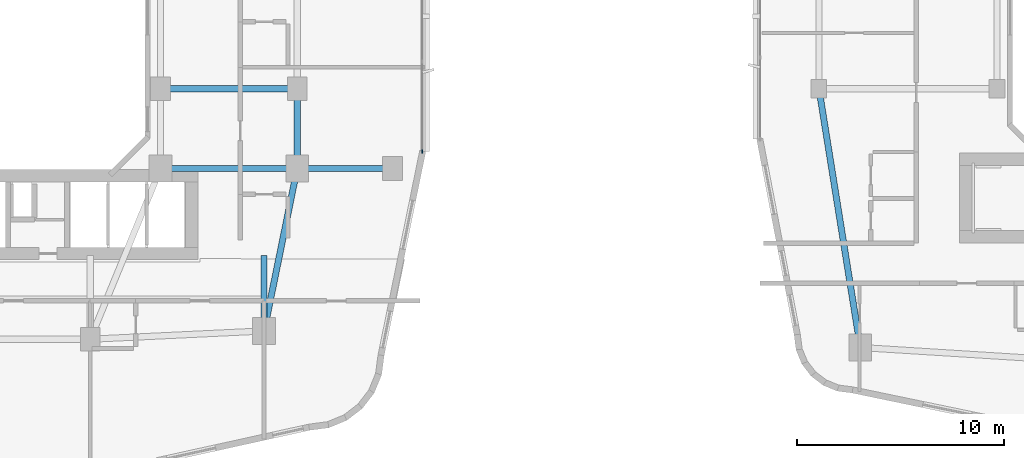
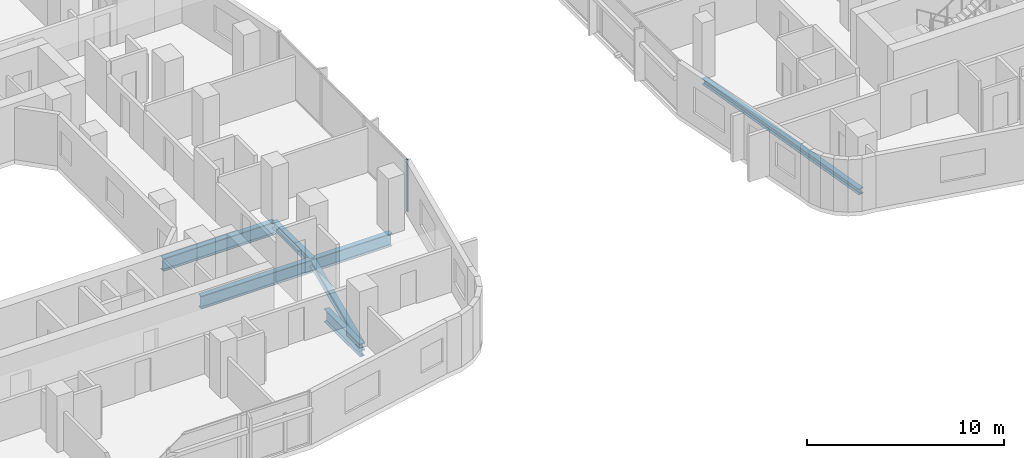
# One storey, part 4 of 27: 7 beams, 1 member, 1 element without a shape of its own.
"""IFC4 building model written with IfcOpenShell, lengths in metres."""

from ifc_helpers import new_model, si_unit, derived_unit, direction, frame, origin, origin_2d, place, context, subcontext, project, spatial, rectangle, i_section, extrude, material, layer, layer_set, material_profile, profile_set, type_object, element, aggregate, save


model = new_model("IFC4")

# Units and contexts
model_context = context("Model", 3, precision=1e-05, world=origin(), true_north=direction((0.0, 1.0)))
body_context = subcontext(model_context, "Body", "Model", "MODEL_VIEW")
ifc_project = project(units=[si_unit("LENGTHUNIT", "METRE"), si_unit("AREAUNIT", "SQUARE_METRE"), si_unit("VOLUMEUNIT", "CUBIC_METRE"), si_unit("PLANEANGLEUNIT", "RADIAN"), si_unit("MASSUNIT", "GRAM", prefix="KILO"), derived_unit("THERMALTRANSMITTANCEUNIT", [(si_unit("POWERUNIT", "WATT"), 1), (si_unit("LENGTHUNIT", "METRE"), -2), (si_unit("THERMODYNAMICTEMPERATUREUNIT", "KELVIN"), -1)])], contexts=[model_context])

# Site, building, storey
site_placement = place(None, origin())
site = spatial("IfcSite", under=ifc_project, at=site_placement, CompositionType="ELEMENT")
building_placement = place(site_placement, origin())
building = spatial("IfcBuilding", under=site, at=building_placement, Name="Kivonza Crest Hotel", CompositionType="ELEMENT")
storey_placement = place(building_placement, frame((0.0, 0.0, 34.5)))
storey = spatial("IfcBuildingStorey", under=building, at=storey_placement, Name="L08", CompositionType="ELEMENT", Elevation=34.5)

# Beams
ifc_material_1 = material(Name="Steel S355", Category="steel")
ifc_material_profile_1 = material_profile(ifc_material_1, i_section(OverallWidth=0.300048828125, OverallDepth=0.360107421875, WebThickness=0.012451171875, FlangeThickness=0.0224609375, FilletRadius=0.027099609375, at=origin_2d()), Name="HEB 360")
ifc_profile_set_1 = profile_set([ifc_material_profile_1], Name="Steel S355")
beam_type_1 = type_object("IfcBeamType", Name="BM-HEB360", PredefinedType="SPANDREL", material=ifc_profile_set_1)
beam_1_placement = place(storey_placement, frame((61.0, 21.5, -0.429931640625), z_axis=(0.157990501107, -0.987440631917, 0.0), x_axis=(0.987440631917, 0.157990501107, 0.0)))
element("IfcBeam", 1, at=beam_1_placement, inside=storey, type_object=beam_type_1, Name="Companion Tower T2 L08 perimeter spandrel W1-SW", PredefinedType="SPANDREL", context=body_context, shape_type="SweptSolid", body=[
    extrude(i_section(OverallWidth=0.300048828125, OverallDepth=0.360107421875, WebThickness=0.012451171875, FlangeThickness=0.0224609375, FilletRadius=0.027099609375, at=origin_2d()), origin(), (0.0, 0.0, 1.0), 12.658935546875),
])
ifc_material_profile_2 = material_profile(ifc_material_1, i_section(OverallWidth=0.300048828125, OverallDepth=0.449951171875, WebThickness=0.013916015625, FlangeThickness=0.02587890625, FilletRadius=0.027099609375, at=origin_2d()), Name="HEB 450")
ifc_profile_set_2 = profile_set([ifc_material_profile_2], Name="Steel S355")
beam_type_2 = type_object("IfcBeamType", Name="BM-HEB450", PredefinedType="SPANDREL", material=ifc_profile_set_2)
beam_2_placement = place(storey_placement, frame((34.199951171875, 9.800048828125, -0.5048828125), z_axis=(0.199730733965, 0.979850822273, 0.0), x_axis=(-0.979850822273, 0.199730733965, 0.0)))
element("IfcBeam", 2, at=beam_2_placement, inside=storey, type_object=beam_type_2, Name="Tower T1 L08 perimeter spandrel SE-PSE", PredefinedType="SPANDREL", context=body_context, shape_type="SweptSolid", body=[
    extrude(i_section(OverallWidth=0.300048828125, OverallDepth=0.449951171875, WebThickness=0.013916015625, FlangeThickness=0.02587890625, FilletRadius=0.027099609375, at=origin_2d()), origin(), (0.0, 0.0, 1.0), 8.01123046875),
])
beam_3_placement = place(storey_placement, frame((35.800048828125, 17.64990234375, -0.5048828125), z_axis=(0.0, 1.0, 0.0), x_axis=(-1.0, 0.0, 0.0)))
element("IfcBeam", 3, at=beam_3_placement, inside=storey, type_object=beam_type_2, Name="Tower T1 L08 perimeter spandrel PSE-E1", PredefinedType="SPANDREL", context=body_context, shape_type="SweptSolid", body=[
    extrude(i_section(OverallWidth=0.300048828125, OverallDepth=0.449951171875, WebThickness=0.013916015625, FlangeThickness=0.02587890625, FilletRadius=0.027099609375, at=origin_2d()), origin(), (0.0, 0.0, 1.0), 3.85009765625),
])
ifc_material_profile_3 = material_profile(ifc_material_1, i_section(OverallWidth=0.300048828125, OverallDepth=0.800048828125, WebThickness=0.017578125, FlangeThickness=0.032958984375, FilletRadius=0.030029296875, at=origin_2d()), Name="HEB 800")
ifc_profile_set_3 = profile_set([ifc_material_profile_3], Name="Steel S355")
beam_type_3 = type_object("IfcBeamType", Name="BM-HEB800", PredefinedType="BEAM", material=ifc_profile_set_3)
for number, where, z_axis, x_axis, name in (
    (4, (29.199951171875, 17.64990234375, -0.679931640625), (1.0, 0.0, 0.0), (0.0, 1.0, 0.0), "Tower T1 L08 primary girder TSE-PSE"),
    (5, (29.199951171875, 21.5, -0.679931640625), (1.0, 0.0, 0.0), (0.0, 1.0, 0.0), "Tower T1 L08 primary girder WR1-E1"),
):
    element("IfcBeam", number, at=place(storey_placement, frame(where, z_axis=z_axis, x_axis=x_axis)), inside=storey, type_object=beam_type_3, Name=name, PredefinedType="BEAM", context=body_context, shape_type="SweptSolid", body=[
        extrude(i_section(OverallWidth=0.300048828125, OverallDepth=0.800048828125, WebThickness=0.017578125, FlangeThickness=0.032958984375, FilletRadius=0.030029296875, at=origin_2d()), origin(), (0.0, 0.0, 1.0), 6.60009765625),
    ])
beam_4_placement = place(storey_placement, frame((40.39990234375, 17.64990234375, -0.679931640625), z_axis=(-1.0, 0.0, 0.0), x_axis=(0.0, -1.0, 0.0)))
element("IfcBeam", 6, at=beam_4_placement, inside=storey, type_object=beam_type_3, Name="Tower T1 L08 outer bay girder ZE1", PredefinedType="BEAM", context=body_context, shape_type="SweptSolid", body=[
    extrude(i_section(OverallWidth=0.300048828125, OverallDepth=0.800048828125, WebThickness=0.017578125, FlangeThickness=0.032958984375, FilletRadius=0.030029296875, at=origin_2d()), origin(), (0.0, 0.0, 1.0), 4.599853515625),
])
beam_5_placement = place(storey_placement, frame((34.199951171875, 9.800048828125, -0.679931640625), z_axis=(0.0, 1.0, 0.0), x_axis=(-1.0, 0.0, 0.0)))
element("IfcBeam", 7, at=beam_5_placement, inside=storey, type_object=beam_type_3, Name="Tower T1 L08 radial core girder RSE", PredefinedType="BEAM", context=body_context, shape_type="SweptSolid", body=[
    extrude(i_section(OverallWidth=0.300048828125, OverallDepth=0.800048828125, WebThickness=0.017578125, FlangeThickness=0.032958984375, FilletRadius=0.030029296875, at=origin_2d()), origin(), (0.0, 0.0, 1.0), 3.64990234375),
])

# Curtain wall, member
ifc_material_2 = material(Name="Anodised bronze aluminium and low-E double glazing", Category="aluminium")
ifc_layer = layer(ifc_material_2, 0.179931640625)
ifc_layer_set = layer_set([ifc_layer], Name="Anodised bronze aluminium and low-E double glazing")
curtain_wall_type = type_object("IfcCurtainWallType", Name="CW-SYS-2", PredefinedType="NOTDEFINED", material=ifc_layer_set)
curtain_wall_placement = place(storey_placement, origin())
curtain_wall = element("IfcCurtainWall", 8, at=curtain_wall_placement, inside=storey, type_object=curtain_wall_type, Name="L08 unitised curtain wall CW-T1-L08-17", PredefinedType="NOTDEFINED")
ifc_material_3 = material(Name="Anodised bronze aluminium", Category="aluminium")
ifc_material_profile_4 = material_profile(ifc_material_3, rectangle(XDim=0.06494140625, YDim=0.179931640625, at=origin_2d()), Name="CW-M 65x180")
ifc_profile_set_4 = profile_set([ifc_material_profile_4], Name="Anodised bronze aluminium")
member_type = type_object("IfcMemberType", Name="CW-MUL-65x180", PredefinedType="MULLION", material=ifc_profile_set_4)
member_placement = place(storey_placement, frame((41.840087890625, 18.472412109375, 0.0), z_axis=(0.0, 0.0, 1.0), x_axis=(-1.0, 0.0, 0.0)))
member = element("IfcMember", 9, at=member_placement, type_object=member_type, Name="CW-2 mullion 1", PredefinedType="MULLION", context=body_context, shape_type="SweptSolid", body=[
    extrude(rectangle(XDim=0.06494140625, YDim=0.179931640625, at=origin_2d()), origin(), (0.0, 0.0, 1.0), 3.219970703125),
])
aggregate(curtain_wall, [member])

save(model, "model.ifc")
